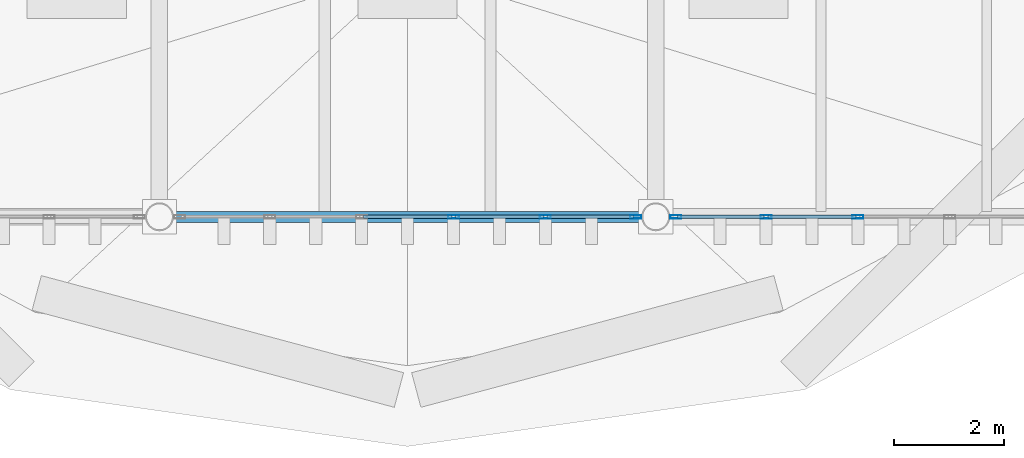
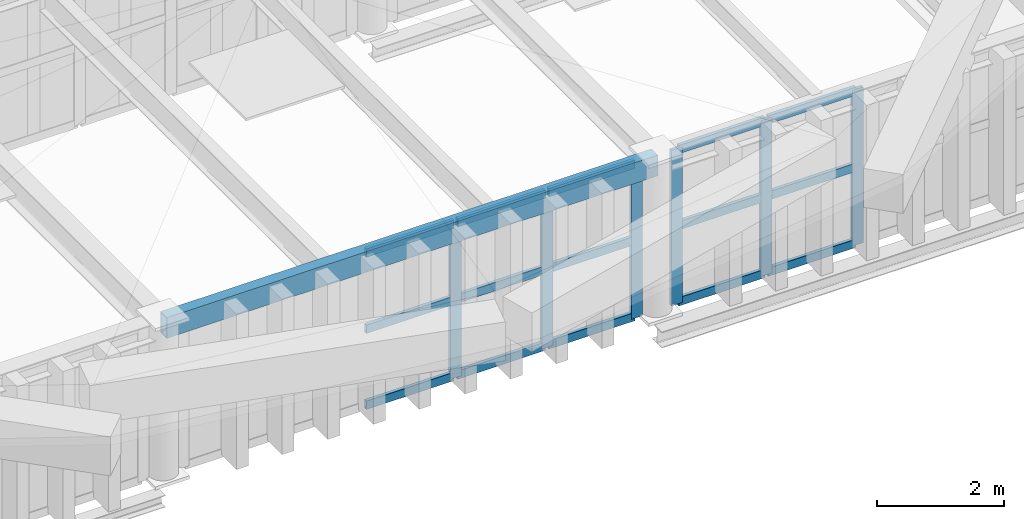
# One storey, part 18 of 102: 21 members, 1 beam, 2 elements without a shape of their own.
"""IFC4 building model written with IfcOpenShell, lengths in metres."""

import ifcopenshell
import ifcopenshell.guid

model = None  # the IFC model being written
_history = None  # IfcOwnerHistory: only IFC2X3 demands one
_inside = {}  # id of a spatial element -> (the spatial element, [elements in it])
_under = {}  # id of a project, library or spatial element -> (it, [spatial elements below it])
_declared = {}  # id of a project -> (the project, [libraries it declares])
_typed = {}  # id of a type object -> (the type object, [elements of that type])
_made_of = {}  # id of a material, layer set ... -> (it, [elements and type objects made of it])


def new_model(schema):
    """Start an empty IFC model of exactly this schema.

    Asked for "IFC4X3", IfcOpenShell would pick the latest addendum, in which some entities
    have other attributes; the version numbers below select the first issue.
    IFC2X3 requires an IfcOwnerHistory on every rooted entity: one is made here for all.
    """
    global model, _history
    if schema == "IFC4X3":
        model = ifcopenshell.file(schema_version=(4, 3, 0, 0))
    else:
        model = ifcopenshell.file(schema=schema)
    _inside.clear()
    _under.clear()
    _declared.clear()
    _typed.clear()
    _made_of.clear()
    _history = None
    if model.schema == "IFC2X3":
        org = make("IfcOrganization", Name="unknown")
        user = make(
            "IfcPersonAndOrganization",
            ThePerson=make("IfcPerson", FamilyName="unknown"),
            TheOrganization=org,
        )
        app = make(
            "IfcApplication",
            ApplicationDeveloper=org,
            Version="unknown",
            ApplicationFullName="unknown",
            ApplicationIdentifier="unknown",
        )
        _history = make(
            "IfcOwnerHistory",
            OwningUser=user,
            OwningApplication=app,
            ChangeAction="ADDED",
            CreationDate=0,
        )
    return model


def make(cls, **values):
    """One entity of the class cls with the attributes given. An attribute that is None is left unset."""
    return model.create_entity(
        cls, **{name: value for name, value in values.items() if value is not None}
    )


def rooted(cls, **values):
    """An entity with a GlobalId (a new one), such as an element, a storey or a relation."""
    return make(cls, GlobalId=ifcopenshell.guid.new(), OwnerHistory=_history, **values)


def si_unit(unit_type, name, prefix=None):
    """IfcSIUnit, for example si_unit("LENGTHUNIT", "METRE", prefix="MILLI")."""
    return make("IfcSIUnit", UnitType=unit_type, Prefix=prefix, Name=name)


def assignment(units):
    """IfcUnitAssignment: the units of a project."""
    return None if units is None else make("IfcUnitAssignment", Units=units)


def point(xyz):
    """IfcCartesianPoint."""
    return None if xyz is None else make("IfcCartesianPoint", Coordinates=xyz)


def direction(xyz):
    """IfcDirection."""
    return None if xyz is None else make("IfcDirection", DirectionRatios=xyz)


def frame(location, z_axis=None, x_axis=None):
    """IfcAxis2Placement3D, a coordinate frame: its origin and axes. An axis left out is left unset."""
    return make(
        "IfcAxis2Placement3D",
        Location=point(location),
        Axis=direction(z_axis),
        RefDirection=direction(x_axis),
    )


def frame_2d(location, x_axis=None):
    """IfcAxis2Placement2D, a coordinate frame in the plane: its origin and x axis."""
    return make(
        "IfcAxis2Placement2D", Location=point(location), RefDirection=direction(x_axis)
    )


def origin():
    """The frame at (0, 0, 0) with its axes left unset."""
    return frame((0.0, 0.0, 0.0))


def origin_2d():
    """The frame at (0, 0) in the plane with its x axis left unset."""
    return frame_2d((0.0, 0.0))


def place(relative_to, where):
    """IfcLocalPlacement: puts the frame where relative to a parent placement (None: the world)."""
    return make(
        "IfcLocalPlacement", PlacementRelTo=relative_to, RelativePlacement=where
    )


def context(
    kind, dimensions, precision=None, world=None, true_north=None, identifier=None
):
    """IfcGeometricRepresentationContext, for example the 3D "Model" context."""
    return make(
        "IfcGeometricRepresentationContext",
        ContextIdentifier=identifier,
        ContextType=kind,
        CoordinateSpaceDimension=dimensions,
        Precision=precision,
        WorldCoordinateSystem=world,
        TrueNorth=true_north,
    )


def subcontext(parent, identifier, kind, view, scale=None):
    """IfcGeometricRepresentationSubContext, for example "Body" below "Model"."""
    return make(
        "IfcGeometricRepresentationSubContext",
        ContextIdentifier=identifier,
        ContextType=kind,
        ParentContext=parent,
        TargetScale=scale,
        TargetView=view,
    )


def project(units=None, contexts=None):
    """IfcProject with its units and contexts."""
    return rooted(
        "IfcProject",
        Name="project",
        RepresentationContexts=contexts,
        UnitsInContext=assignment(units),
    )


def spatial(cls, under=None, at=None, **own):
    """A site, building, storey or space (cls), placed at a placement, below another one or the project."""
    s = rooted(cls, ObjectPlacement=at, **own)
    if under is not None:
        _under.setdefault(under.id(), (under, []))[1].append(s)
    return s


def profile(cls, at=None, kind="AREA", **sizes):
    """A parametric profile (cls). Its sizes go by their IFC names, for example OverallWidth=200.0."""
    return make(cls, ProfileType=kind, Position=at, **sizes)


def hollow_rectangle(**sizes):
    """IfcRectangleHollowProfileDef."""
    return profile("IfcRectangleHollowProfileDef", **sizes)


def extrude(swept, where, along, depth):
    """IfcExtrudedAreaSolid: the profile swept, set in the frame where, extruded along a direction by depth."""
    return make(
        "IfcExtrudedAreaSolid",
        SweptArea=swept,
        Position=where,
        ExtrudedDirection=direction(along),
        Depth=depth,
    )


def shape(context_of_items, identifier, shape_type, items):
    """IfcShapeRepresentation: the items that make up one representation, for example the "Body"."""
    return make(
        "IfcShapeRepresentation",
        ContextOfItems=context_of_items,
        RepresentationIdentifier=identifier,
        RepresentationType=shape_type,
        Items=items,
    )


def material(Name=None, Category=None):
    """IfcMaterial."""
    return make("IfcMaterial", Name=Name, Category=Category)


def layer(
    of_material, thickness, ventilated=None, Name=None, Category=None, Priority=None
):
    """IfcMaterialLayer: one layer of a wall or slab, of a material (None: an air gap)."""
    return make(
        "IfcMaterialLayer",
        Material=of_material,
        LayerThickness=thickness,
        IsVentilated=ventilated,
        Name=Name,
        Category=Category,
        Priority=Priority,
    )


def layer_set(layers, Name=None):
    """IfcMaterialLayerSet."""
    return make("IfcMaterialLayerSet", MaterialLayers=layers, LayerSetName=Name)


def material_profile(
    of_material, cross_section, Name=None, Category=None, Priority=None
):
    """IfcMaterialProfile: a cross section and its material."""
    return make(
        "IfcMaterialProfile",
        Name=Name,
        Material=of_material,
        Profile=cross_section,
        Priority=Priority,
        Category=Category,
    )


def profile_set(profiles, Name=None, composite=None):
    """IfcMaterialProfileSet."""
    return make(
        "IfcMaterialProfileSet",
        Name=Name,
        MaterialProfiles=profiles,
        CompositeProfile=composite,
    )


def made_of(thing, what):
    """Note that an element or type object is made of a material, layer set ...; save() writes the relation."""
    if what is not None:
        _made_of.setdefault(what.id(), (what, []))[1].append(thing)
    return thing


def type_object(cls, material=None, **own):
    """A type object (cls), such as IfcWallType, which elements share."""
    return made_of(rooted(cls, **own), material)


def element(
    cls,
    number,
    at=None,
    inside=None,
    cuts=None,
    type_object=None,
    material=None,
    context=None,
    identifier="Body",
    shape_type=None,
    held_by="IfcProductDefinitionShape",
    body=None,
    shapes=None,
    **own,
):
    """One element of the class cls, such as IfcWall. Its Tag is "e" and its number.

    at: its placement. inside: the storey or other place that contains it. cuts: it is an
    opening in that element (IfcRelVoidsElement). A single representation is given by context,
    identifier, shape_type and body (its items); several are given by shapes. held_by: the class
    of the entity that holds the representations. save() writes the other relations.
    """
    e = rooted(cls, Tag="e%d" % number, ObjectPlacement=at, **own)
    if body is not None:
        shapes = [shape(context, identifier, shape_type, body)]
    if shapes is not None:
        e.Representation = make(held_by, Representations=shapes)
    if inside is not None:
        _inside.setdefault(inside.id(), (inside, []))[1].append(e)
    if cuts is not None:
        rooted(
            "IfcRelVoidsElement", RelatingBuildingElement=cuts, RelatedOpeningElement=e
        )
    if type_object is not None:
        _typed.setdefault(type_object.id(), (type_object, []))[1].append(e)
    return made_of(e, material)


def aggregate(whole, parts):
    """IfcRelAggregates: a whole, such as a stair, and the parts it consists of."""
    return rooted("IfcRelAggregates", RelatingObject=whole, RelatedObjects=parts)


def save(model, path):
    """Write the relations noted so far, then the file.

    IfcRelAggregates (storeys below a building ...), IfcRelContainedInSpatialStructure (elements
    in a storey), IfcRelDefinesByType, IfcRelAssociatesMaterial and IfcRelDeclares: one each for
    every whole, place, type object, material and project.
    """
    for whole, parts in _under.values():
        aggregate(whole, parts)
    for where, things in _inside.values():
        rooted(
            "IfcRelContainedInSpatialStructure",
            RelatedElements=things,
            RelatingStructure=where,
        )
    for kind, things in _typed.values():
        rooted("IfcRelDefinesByType", RelatedObjects=things, RelatingType=kind)
    for what, things in _made_of.values():
        rooted("IfcRelAssociatesMaterial", RelatedObjects=things, RelatingMaterial=what)
    for by, libraries in _declared.values():
        rooted("IfcRelDeclares", RelatingContext=by, RelatedDefinitions=libraries)
    model.write(path)


model = new_model("IFC4")

# Units and contexts
model_context = context("Model", 3, precision=1e-05, world=origin(), true_north=direction((0.0, 1.0)))
body_context = subcontext(model_context, "Body", "Model", "MODEL_VIEW")
ifc_project = project(units=[si_unit("LENGTHUNIT", "METRE"), si_unit("AREAUNIT", "SQUARE_METRE"), si_unit("VOLUMEUNIT", "CUBIC_METRE"), si_unit("PLANEANGLEUNIT", "RADIAN"), si_unit("MASSUNIT", "GRAM", prefix="KILO")], contexts=[model_context])

# Site, building, storey
site_placement = place(None, origin())
site = spatial("IfcSite", under=ifc_project, at=site_placement, CompositionType="ELEMENT")
building_placement = place(site_placement, origin())
building = spatial("IfcBuilding", under=site, at=building_placement, Name="Barlavento Convention Centre", CompositionType="ELEMENT")
storey_placement = place(building_placement, frame((0.0, 0.0, 22.800048828125)))
storey = spatial("IfcBuildingStorey", under=building, at=storey_placement, Name="L04", CompositionType="ELEMENT", Elevation=22.800048828125)

# Curtain wall, members
ifc_material_1 = material(Name="Powder-coated aluminium and Low-E glass", Category="aluminium")
ifc_layer = layer(ifc_material_1, 0.18505859375)
ifc_layer_set = layer_set([ifc_layer], Name="ARC-CW-CONF-L04")
curtain_wall_type = type_object("IfcCurtainWallType", Name="ARC-CW-CONF-L04", PredefinedType="NOTDEFINED", material=ifc_layer_set)
curtain_wall_1_placement = place(storey_placement, origin())
curtain_wall_1 = element("IfcCurtainWall", 1, at=curtain_wall_1_placement, inside=storey, type_object=curtain_wall_type, Name="L04 unitised curtain wall CW09", PredefinedType="NOTDEFINED")
ifc_material_2 = material(Name="Powder-coated aluminium", Category="aluminium")
ifc_material_profile_1 = material_profile(ifc_material_2, hollow_rectangle(XDim=0.06494140625, YDim=0.199951171875, WallThickness=0.0048828125, at=origin_2d()), Name="AL-MULL 65x200x5")
ifc_profile_set_1 = profile_set([ifc_material_profile_1], Name="Powder-coated aluminium")
member_type_1 = type_object("IfcMemberType", Name="ARC-CWM-65X200", PredefinedType="MULLION", material=ifc_profile_set_1)
member_1_placement = place(storey_placement, frame((95.333251953125, 45.0, 0.0), z_axis=(0.0, 0.0, 1.0), x_axis=(0.0, 1.0, 0.0)))
member_1 = element("IfcMember", 2, at=member_1_placement, type_object=member_type_1, Name="CW09 mullion 4", PredefinedType="MULLION", context=body_context, shape_type="SweptSolid", body=[
    extrude(hollow_rectangle(XDim=0.06494140625, YDim=0.199951171875, WallThickness=0.0048828125, at=origin_2d()), origin(), (0.0, 0.0, 1.0), 3.0),
])
member_2_placement = place(storey_placement, frame((96.99951171875, 45.0, 0.0), z_axis=(0.0, 0.0, 1.0), x_axis=(0.0, 1.0, 0.0)))
member_2 = element("IfcMember", 3, at=member_2_placement, type_object=member_type_1, Name="CW09 mullion 5", PredefinedType="MULLION", context=body_context, shape_type="SweptSolid", body=[
    extrude(hollow_rectangle(XDim=0.06494140625, YDim=0.199951171875, WallThickness=0.0048828125, at=origin_2d()), origin(), (0.0, 0.0, 1.0), 3.0),
])
member_3_placement = place(storey_placement, frame((98.633544921875, 45.0, 0.0), z_axis=(0.0, 0.0, 1.0), x_axis=(0.0, 1.0, 0.0)))
member_3 = element("IfcMember", 4, at=member_3_placement, type_object=member_type_1, Name="CW09 mullion 6", PredefinedType="MULLION", context=body_context, shape_type="SweptSolid", body=[
    extrude(hollow_rectangle(XDim=0.06494140625, YDim=0.199951171875, WallThickness=0.0048828125, at=origin_2d()), origin(), (0.0, 0.0, 1.0), 3.0),
])

curtain_wall_2_placement = place(storey_placement, origin())
curtain_wall_2 = element("IfcCurtainWall", 5, at=curtain_wall_2_placement, inside=storey, type_object=curtain_wall_type, Name="L04 unitised curtain wall CW09", PredefinedType="NOTDEFINED")
member_4_placement = place(storey_placement, frame((99.366455078125, 45.0, 0.0), z_axis=(0.0, 0.0, 1.0), x_axis=(0.0, 1.0, 0.0)))
member_4 = element("IfcMember", 6, at=member_4_placement, type_object=member_type_1, Name="CW09 mullion 1", PredefinedType="MULLION", context=body_context, shape_type="SweptSolid", body=[
    extrude(hollow_rectangle(XDim=0.06494140625, YDim=0.199951171875, WallThickness=0.0048828125, at=origin_2d()), origin(), (0.0, 0.0, 1.0), 3.0),
])
member_5_placement = place(storey_placement, frame((101.00048828125, 45.0, 0.0), z_axis=(0.0, 0.0, 1.0), x_axis=(0.0, 1.0, 0.0)))
member_5 = element("IfcMember", 7, at=member_5_placement, type_object=member_type_1, Name="CW09 mullion 2", PredefinedType="MULLION", context=body_context, shape_type="SweptSolid", body=[
    extrude(hollow_rectangle(XDim=0.06494140625, YDim=0.199951171875, WallThickness=0.0048828125, at=origin_2d()), origin(), (0.0, 0.0, 1.0), 3.0),
])
member_6_placement = place(storey_placement, frame((102.666748046875, 45.0, 0.0), z_axis=(0.0, 0.0, 1.0), x_axis=(0.0, 1.0, 0.0)))
member_6 = element("IfcMember", 8, at=member_6_placement, type_object=member_type_1, Name="CW09 mullion 3", PredefinedType="MULLION", context=body_context, shape_type="SweptSolid", body=[
    extrude(hollow_rectangle(XDim=0.06494140625, YDim=0.199951171875, WallThickness=0.0048828125, at=origin_2d()), origin(), (0.0, 0.0, 1.0), 3.0),
])

# Member
ifc_material_profile_2 = material_profile(ifc_material_2, hollow_rectangle(XDim=0.06494140625, YDim=0.159912109375, WallThickness=0.0048828125, at=origin_2d()), Name="AL-TRAN 65x160x5")
ifc_profile_set_2 = profile_set([ifc_material_profile_2], Name="Powder-coated aluminium")
member_type_2 = type_object("IfcMemberType", Name="ARC-CWT-65X160", PredefinedType="USERDEFINED", material=ifc_profile_set_2)
member_7_placement = place(storey_placement, frame((93.69921875, 45.0, 0.032470703125), z_axis=(1.0, 0.0, 0.0), x_axis=(0.0, 1.0, 0.0)))
member_7 = element("IfcMember", 9, at=member_7_placement, type_object=member_type_2, Name="CW09 transom 3.1", ObjectType="TRANSOM", PredefinedType="USERDEFINED", context=body_context, shape_type="SweptSolid", body=[
    extrude(hollow_rectangle(XDim=0.06494140625, YDim=0.159912109375, WallThickness=0.0048828125, at=origin_2d()), origin(), (0.0, 0.0, 1.0), 1.6015625),
])

member_8_placement = place(storey_placement, frame((93.69921875, 45.0, 1.5), z_axis=(1.0, 0.0, 0.0), x_axis=(0.0, 1.0, 0.0)))
member_8 = element("IfcMember", 10, at=member_8_placement, type_object=member_type_2, Name="CW09 transom 3.2", ObjectType="TRANSOM", PredefinedType="USERDEFINED", context=body_context, shape_type="SweptSolid", body=[
    extrude(hollow_rectangle(XDim=0.06494140625, YDim=0.159912109375, WallThickness=0.0048828125, at=origin_2d()), origin(), (0.0, 0.0, 1.0), 1.6015625),
])

member_9_placement = place(storey_placement, frame((93.69921875, 45.0, 2.967529296875), z_axis=(1.0, 0.0, 0.0), x_axis=(0.0, 1.0, 0.0)))
member_9 = element("IfcMember", 11, at=member_9_placement, type_object=member_type_2, Name="CW09 transom 3.3", ObjectType="TRANSOM", PredefinedType="USERDEFINED", context=body_context, shape_type="SweptSolid", body=[
    extrude(hollow_rectangle(XDim=0.06494140625, YDim=0.159912109375, WallThickness=0.0048828125, at=origin_2d()), origin(), (0.0, 0.0, 1.0), 1.6015625),
])

member_10_placement = place(storey_placement, frame((95.36572265625, 45.0, 0.032470703125), z_axis=(1.0, 0.0, 0.0), x_axis=(0.0, 1.0, 0.0)))
member_10 = element("IfcMember", 12, at=member_10_placement, type_object=member_type_2, Name="CW09 transom 4.1", ObjectType="TRANSOM", PredefinedType="USERDEFINED", context=body_context, shape_type="SweptSolid", body=[
    extrude(hollow_rectangle(XDim=0.06494140625, YDim=0.159912109375, WallThickness=0.0048828125, at=origin_2d()), origin(), (0.0, 0.0, 1.0), 1.601318359375),
])

member_11_placement = place(storey_placement, frame((95.36572265625, 45.0, 1.5), z_axis=(1.0, 0.0, 0.0), x_axis=(0.0, 1.0, 0.0)))
member_11 = element("IfcMember", 13, at=member_11_placement, type_object=member_type_2, Name="CW09 transom 4.2", ObjectType="TRANSOM", PredefinedType="USERDEFINED", context=body_context, shape_type="SweptSolid", body=[
    extrude(hollow_rectangle(XDim=0.06494140625, YDim=0.159912109375, WallThickness=0.0048828125, at=origin_2d()), origin(), (0.0, 0.0, 1.0), 1.601318359375),
])

member_12_placement = place(storey_placement, frame((95.36572265625, 45.0, 2.967529296875), z_axis=(1.0, 0.0, 0.0), x_axis=(0.0, 1.0, 0.0)))
member_12 = element("IfcMember", 14, at=member_12_placement, type_object=member_type_2, Name="CW09 transom 4.3", ObjectType="TRANSOM", PredefinedType="USERDEFINED", context=body_context, shape_type="SweptSolid", body=[
    extrude(hollow_rectangle(XDim=0.06494140625, YDim=0.159912109375, WallThickness=0.0048828125, at=origin_2d()), origin(), (0.0, 0.0, 1.0), 1.601318359375),
])

member_13_placement = place(storey_placement, frame((97.031982421875, 45.0, 0.032470703125), z_axis=(1.0, 0.0, 0.0), x_axis=(0.0, 1.0, 0.0)))
member_13 = element("IfcMember", 15, at=member_13_placement, type_object=member_type_2, Name="CW09 transom 5.1", ObjectType="TRANSOM", PredefinedType="USERDEFINED", context=body_context, shape_type="SweptSolid", body=[
    extrude(hollow_rectangle(XDim=0.06494140625, YDim=0.159912109375, WallThickness=0.0048828125, at=origin_2d()), origin(), (0.0, 0.0, 1.0), 1.569091796875),
])

member_14_placement = place(storey_placement, frame((97.031982421875, 45.0, 1.5), z_axis=(1.0, 0.0, 0.0), x_axis=(0.0, 1.0, 0.0)))
member_14 = element("IfcMember", 16, at=member_14_placement, type_object=member_type_2, Name="CW09 transom 5.2", ObjectType="TRANSOM", PredefinedType="USERDEFINED", context=body_context, shape_type="SweptSolid", body=[
    extrude(hollow_rectangle(XDim=0.06494140625, YDim=0.159912109375, WallThickness=0.0048828125, at=origin_2d()), origin(), (0.0, 0.0, 1.0), 1.569091796875),
])

member_15_placement = place(storey_placement, frame((97.031982421875, 45.0, 2.967529296875), z_axis=(1.0, 0.0, 0.0), x_axis=(0.0, 1.0, 0.0)))
member_15 = element("IfcMember", 17, at=member_15_placement, type_object=member_type_2, Name="CW09 transom 5.3", ObjectType="TRANSOM", PredefinedType="USERDEFINED", context=body_context, shape_type="SweptSolid", body=[
    extrude(hollow_rectangle(XDim=0.06494140625, YDim=0.159912109375, WallThickness=0.0048828125, at=origin_2d()), origin(), (0.0, 0.0, 1.0), 1.569091796875),
])

aggregate(curtain_wall_1, [member_1, member_2, member_3, member_7, member_8, member_9, member_10, member_11, member_12, member_13, member_14, member_15])

member_16_placement = place(storey_placement, frame((99.39892578125, 45.0, 0.032470703125), z_axis=(1.0, 0.0, 0.0), x_axis=(0.0, 1.0, 0.0)))
member_16 = element("IfcMember", 18, at=member_16_placement, type_object=member_type_2, Name="CW09 transom 1.1", ObjectType="TRANSOM", PredefinedType="USERDEFINED", context=body_context, shape_type="SweptSolid", body=[
    extrude(hollow_rectangle(XDim=0.06494140625, YDim=0.159912109375, WallThickness=0.0048828125, at=origin_2d()), origin(), (0.0, 0.0, 1.0), 1.569091796875),
])

member_17_placement = place(storey_placement, frame((99.39892578125, 45.0, 1.5), z_axis=(1.0, 0.0, 0.0), x_axis=(0.0, 1.0, 0.0)))
member_17 = element("IfcMember", 19, at=member_17_placement, type_object=member_type_2, Name="CW09 transom 1.2", ObjectType="TRANSOM", PredefinedType="USERDEFINED", context=body_context, shape_type="SweptSolid", body=[
    extrude(hollow_rectangle(XDim=0.06494140625, YDim=0.159912109375, WallThickness=0.0048828125, at=origin_2d()), origin(), (0.0, 0.0, 1.0), 1.569091796875),
])

member_18_placement = place(storey_placement, frame((99.39892578125, 45.0, 2.967529296875), z_axis=(1.0, 0.0, 0.0), x_axis=(0.0, 1.0, 0.0)))
member_18 = element("IfcMember", 20, at=member_18_placement, type_object=member_type_2, Name="CW09 transom 1.3", ObjectType="TRANSOM", PredefinedType="USERDEFINED", context=body_context, shape_type="SweptSolid", body=[
    extrude(hollow_rectangle(XDim=0.06494140625, YDim=0.159912109375, WallThickness=0.0048828125, at=origin_2d()), origin(), (0.0, 0.0, 1.0), 1.569091796875),
])

member_19_placement = place(storey_placement, frame((101.032958984375, 45.0, 0.032470703125), z_axis=(1.0, 0.0, 0.0), x_axis=(0.0, 1.0, 0.0)))
member_19 = element("IfcMember", 21, at=member_19_placement, type_object=member_type_2, Name="CW09 transom 2.1", ObjectType="TRANSOM", PredefinedType="USERDEFINED", context=body_context, shape_type="SweptSolid", body=[
    extrude(hollow_rectangle(XDim=0.06494140625, YDim=0.159912109375, WallThickness=0.0048828125, at=origin_2d()), origin(), (0.0, 0.0, 1.0), 1.601318359375),
])

member_20_placement = place(storey_placement, frame((101.032958984375, 45.0, 1.5), z_axis=(1.0, 0.0, 0.0), x_axis=(0.0, 1.0, 0.0)))
member_20 = element("IfcMember", 22, at=member_20_placement, type_object=member_type_2, Name="CW09 transom 2.2", ObjectType="TRANSOM", PredefinedType="USERDEFINED", context=body_context, shape_type="SweptSolid", body=[
    extrude(hollow_rectangle(XDim=0.06494140625, YDim=0.159912109375, WallThickness=0.0048828125, at=origin_2d()), origin(), (0.0, 0.0, 1.0), 1.601318359375),
])

member_21_placement = place(storey_placement, frame((101.032958984375, 45.0, 2.967529296875), z_axis=(1.0, 0.0, 0.0), x_axis=(0.0, 1.0, 0.0)))
member_21 = element("IfcMember", 23, at=member_21_placement, type_object=member_type_2, Name="CW09 transom 2.3", ObjectType="TRANSOM", PredefinedType="USERDEFINED", context=body_context, shape_type="SweptSolid", body=[
    extrude(hollow_rectangle(XDim=0.06494140625, YDim=0.159912109375, WallThickness=0.0048828125, at=origin_2d()), origin(), (0.0, 0.0, 1.0), 1.601318359375),
])

aggregate(curtain_wall_2, [member_4, member_5, member_6, member_16, member_17, member_18, member_19, member_20, member_21])

# Beam
ifc_material_3 = material(Name="Steel S355", Category="steel")
ifc_material_profile_3 = material_profile(ifc_material_3, hollow_rectangle(XDim=0.199951171875, YDim=0.39990234375, WallThickness=0.01611328125, at=origin_2d()), Name="RHS 400x200x16.0")
ifc_profile_set_3 = profile_set([ifc_material_profile_3], Name="Steel S355")
beam_type = type_object("IfcBeamType", Name="STR-BM-SPN-RHS400", PredefinedType="SPANDREL", material=ifc_profile_set_3)
beam_placement = place(storey_placement, frame((90.02001953125, 45.0, 2.85498046875), z_axis=(1.0, 0.0, 0.0), x_axis=(0.0, 1.0, 0.0)))
element("IfcBeam", 24, at=beam_placement, inside=storey, type_object=beam_type, Name="L04 primary girder SP06", PredefinedType="SPANDREL", context=body_context, shape_type="SweptSolid", body=[
    extrude(hollow_rectangle(XDim=0.199951171875, YDim=0.39990234375, WallThickness=0.01611328125, at=origin_2d()), origin(), (0.0, 0.0, 1.0), 8.9599609375),
])

save(model, "model.ifc")
